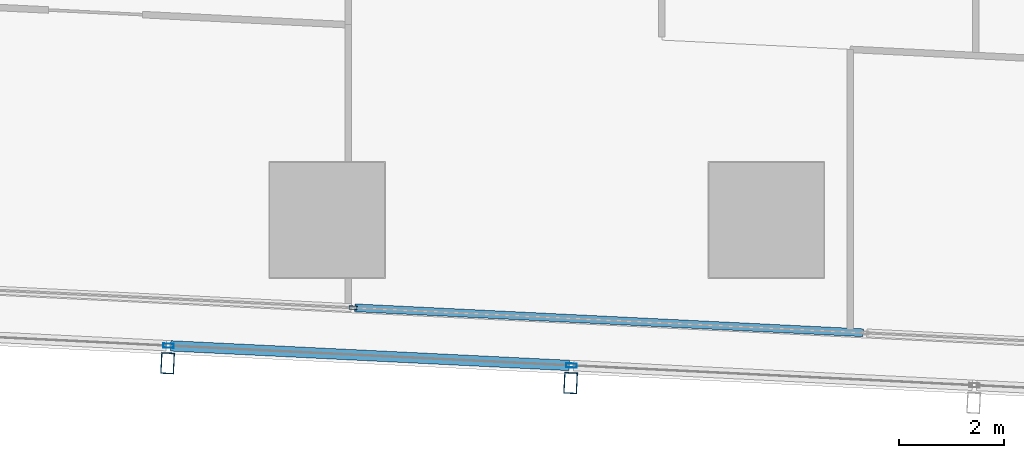
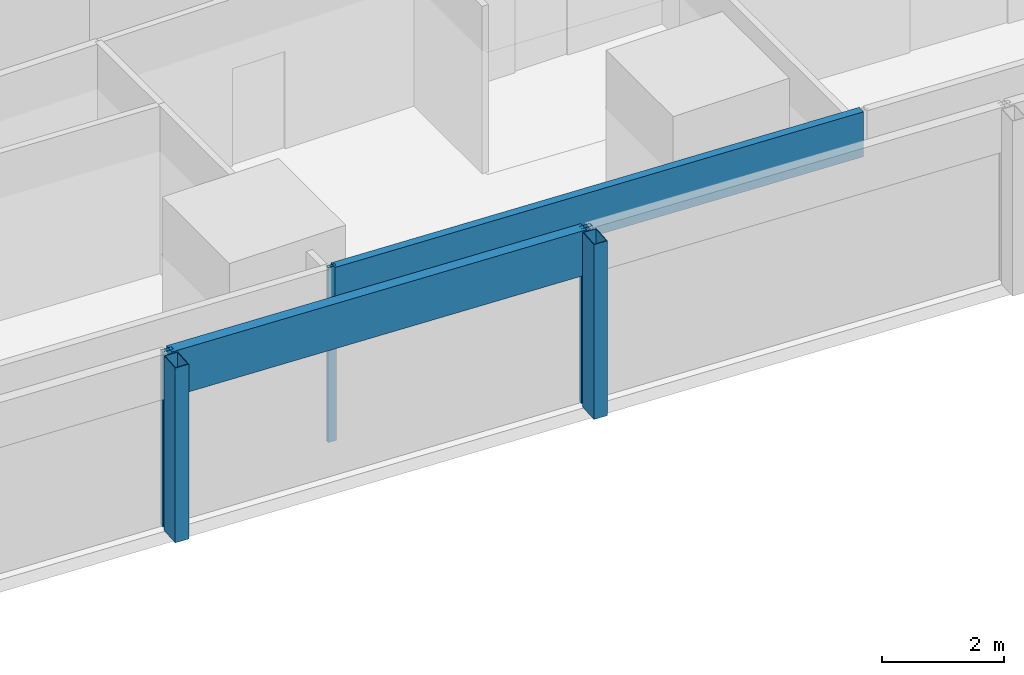
# One storey, part 5 of 42: 7 members, 2 elements without a shape of their own.
"""IFC4 building model written with IfcOpenShell, lengths in metres."""

from ifc_helpers import new_model, si_unit, direction, frame, origin, origin_2d, place, context, subcontext, project, spatial, hollow_rectangle, extrude, material, material_profile, profile_set, type_object, element, aggregate, save


model = new_model("IFC4")

# Units and contexts
model_context = context("Model", 3, precision=1e-05, world=origin(), true_north=direction((0.0, 1.0)))
body_context = subcontext(model_context, "Body", "Model", "MODEL_VIEW")
ifc_project = project(units=[si_unit("LENGTHUNIT", "METRE"), si_unit("AREAUNIT", "SQUARE_METRE"), si_unit("VOLUMEUNIT", "CUBIC_METRE"), si_unit("PLANEANGLEUNIT", "RADIAN"), si_unit("MASSUNIT", "GRAM", prefix="KILO")], contexts=[model_context])

# Site, building, storey
site_placement = place(None, origin())
site = spatial("IfcSite", under=ifc_project, at=site_placement, CompositionType="ELEMENT")
building_placement = place(site_placement, origin())
building = spatial("IfcBuilding", under=site, at=building_placement, Name="Rekha Terrace Tower", CompositionType="ELEMENT")
storey_placement = place(building_placement, frame((0.0, 0.0, 70.39990234375)))
storey = spatial("IfcBuildingStorey", under=building, at=storey_placement, Name="L17", CompositionType="ELEMENT", Elevation=70.39990234375)

# Curtain wall, members
ifc_material_1 = material(Name="Aluminium framing", Category="aluminium")
curtain_wall_type_1 = type_object("IfcCurtainWallType", Name="CW2 double skin outer glazing", PredefinedType="USERDEFINED", material=ifc_material_1)
curtain_wall_1_placement = place(storey_placement, origin())
curtain_wall_1 = element("IfcCurtainWall", 1, at=curtain_wall_1_placement, inside=storey, type_object=curtain_wall_type_1, Name="CW2 double skin outer glazing", ObjectType="DOUBLE SKIN OUTER GLAZING", PredefinedType="USERDEFINED")
ifc_material_2 = material(Name="Steel S355 with fluorocarbon finish", Category="steel")
ifc_material_profile_1 = material_profile(ifc_material_2, hollow_rectangle(XDim=0.25, YDim=0.39990234375, WallThickness=0.012451171875, at=origin_2d()), Name="RHS400x250x12.5")
ifc_profile_set_1 = profile_set([ifc_material_profile_1], Name="Steel S355 with fluorocarbon finish")
member_type_1 = type_object("IfcMemberType", Name="BL1 facade blade RHS 400 x 250", PredefinedType="USERDEFINED", material=ifc_profile_set_1)
member_1_placement = place(storey_placement, frame((22.14990234375, 5.6611328125, 0.0), z_axis=(0.0, 0.0, 1.0), x_axis=(0.998796226835, -0.049051985279, 0.0)))
member_1 = element("IfcMember", 2, at=member_1_placement, type_object=member_type_1, Name="Facade blade", ObjectType="FACADE BLADE", PredefinedType="USERDEFINED", context=body_context, shape_type="SweptSolid", body=[
    extrude(hollow_rectangle(XDim=0.25, YDim=0.39990234375, WallThickness=0.012451171875, at=origin_2d()), origin(), (0.0, 0.0, 1.0), 3.5),
])
member_2_placement = place(storey_placement, frame((29.856201171875, 5.28271484375, 0.0), z_axis=(0.0, 0.0, 1.0), x_axis=(0.998796226835, -0.049051985279, 0.0)))
member_2 = element("IfcMember", 3, at=member_2_placement, type_object=member_type_1, Name="Facade blade", ObjectType="FACADE BLADE", PredefinedType="USERDEFINED", context=body_context, shape_type="SweptSolid", body=[
    extrude(hollow_rectangle(XDim=0.25, YDim=0.39990234375, WallThickness=0.012451171875, at=origin_2d()), origin(), (0.0, 0.0, 1.0), 3.5),
])

curtain_wall_type_2 = type_object("IfcCurtainWallType", Name="CW1 double skin inner glazing", PredefinedType="USERDEFINED", material=ifc_material_1)
curtain_wall_2_placement = place(storey_placement, origin())
curtain_wall_2 = element("IfcCurtainWall", 4, at=curtain_wall_2_placement, inside=storey, type_object=curtain_wall_type_2, Name="CW1 double skin inner glazing", ObjectType="DOUBLE SKIN INNER GLAZING", PredefinedType="USERDEFINED")
ifc_material_3 = material(Name="Aluminium mullion section", Category="aluminium")
ifc_material_profile_2 = material_profile(ifc_material_3, hollow_rectangle(XDim=0.06494140625, YDim=0.14990234375, WallThickness=0.00390625, at=origin_2d()), Name="AL RHS 65x150")
ifc_profile_set_2 = profile_set([ifc_material_profile_2], Name="Aluminium mullion section")
member_type_2 = type_object("IfcMemberType", Name="CW1 mullion RHS 65 x 150", PredefinedType="MULLION", material=ifc_profile_set_2)
member_3_placement = place(storey_placement, frame((25.696044921875, 6.723388671875, 0.0), z_axis=(0.0, 0.0, 1.0), x_axis=(0.049051717746, 0.998796239974, 0.0)))
member_3 = element("IfcMember", 5, at=member_3_placement, type_object=member_type_2, Name="CW1 mullion 2", PredefinedType="MULLION", context=body_context, shape_type="SweptSolid", body=[
    extrude(hollow_rectangle(XDim=0.06494140625, YDim=0.14990234375, WallThickness=0.00390625, at=origin_2d()), origin(), (0.0, 0.0, 1.0), 3.5),
])
ifc_material_4 = material(Name="Insulated aluminium spandrel box", Category="aluminium")
ifc_material_profile_3 = material_profile(ifc_material_4, hollow_rectangle(XDim=0.14990234375, YDim=0.89990234375, WallThickness=0.0029296875, at=origin_2d()), Name="AL SPANDREL BOX 150x900")
ifc_profile_set_3 = profile_set([ifc_material_profile_3], Name="Insulated aluminium spandrel box")
member_type_3 = type_object("IfcMemberType", Name="CW1 spandrel transom 150 x 900", PredefinedType="USERDEFINED", material=ifc_profile_set_3)
member_4_placement = place(storey_placement, frame((25.728515625, 6.721923828125, 3.050048828125), z_axis=(0.998796042167, -0.049055745348, 0.0), x_axis=(0.049055745348, 0.998796042167, 0.0)))
member_4 = element("IfcMember", 6, at=member_4_placement, type_object=member_type_3, Name="CW1 spandrel transom 2", ObjectType="TRANSOM", PredefinedType="USERDEFINED", context=body_context, shape_type="SweptSolid", body=[
    extrude(hollow_rectangle(XDim=0.14990234375, YDim=0.89990234375, WallThickness=0.0029296875, at=origin_2d()), origin(), (0.0, 0.0, 1.0), 9.734619140625),
])
aggregate(curtain_wall_2, [member_3, member_4])

# Member
ifc_material_profile_4 = material_profile(ifc_material_3, hollow_rectangle(XDim=0.080078125, YDim=0.199951171875, WallThickness=0.00390625, at=origin_2d()), Name="AL RHS 80x200")
ifc_profile_set_4 = profile_set([ifc_material_profile_4], Name="Aluminium mullion section")
member_type_4 = type_object("IfcMemberType", Name="CW2 mullion RHS 80 x 200", PredefinedType="MULLION", material=ifc_profile_set_4)
member_5_placement = place(storey_placement, frame((22.166259765625, 5.99560546875, 0.0), z_axis=(0.0, 0.0, 1.0), x_axis=(0.049051717746, 0.998796239974, 0.0)))
member_5 = element("IfcMember", 7, at=member_5_placement, type_object=member_type_4, Name="CW2 mullion 3", PredefinedType="MULLION", context=body_context, shape_type="SweptSolid", body=[
    extrude(hollow_rectangle(XDim=0.080078125, YDim=0.199951171875, WallThickness=0.00390625, at=origin_2d()), origin(), (0.0, 0.0, 1.0), 3.5),
])

member_6_placement = place(storey_placement, frame((29.872802734375, 5.6171875, 0.0), z_axis=(0.0, 0.0, 1.0), x_axis=(0.049051717746, 0.998796239974, 0.0)))
member_6 = element("IfcMember", 8, at=member_6_placement, type_object=member_type_4, Name="CW2 mullion 4", PredefinedType="MULLION", context=body_context, shape_type="SweptSolid", body=[
    extrude(hollow_rectangle(XDim=0.080078125, YDim=0.199951171875, WallThickness=0.00390625, at=origin_2d()), origin(), (0.0, 0.0, 1.0), 3.5),
])

ifc_material_profile_5 = material_profile(ifc_material_4, hollow_rectangle(XDim=0.199951171875, YDim=0.89990234375, WallThickness=0.0029296875, at=origin_2d()), Name="AL SPANDREL BOX 200x900")
ifc_profile_set_5 = profile_set([ifc_material_profile_5], Name="Insulated aluminium spandrel box")
member_type_5 = type_object("IfcMemberType", Name="CW2 spandrel transom 200 x 900", PredefinedType="USERDEFINED", material=ifc_profile_set_5)
member_7_placement = place(storey_placement, frame((22.206298828125, 5.99365234375, 3.050048828125), z_axis=(0.998796434643, -0.049047753721, 0.0), x_axis=(0.049047753721, 0.998796434643, 0.0)))
member_7 = element("IfcMember", 9, at=member_7_placement, type_object=member_type_5, Name="CW2 spandrel transom 3", ObjectType="TRANSOM", PredefinedType="USERDEFINED", context=body_context, shape_type="SweptSolid", body=[
    extrude(hollow_rectangle(XDim=0.199951171875, YDim=0.89990234375, WallThickness=0.0029296875, at=origin_2d()), origin(), (0.0, 0.0, 1.0), 7.6357421875),
])

aggregate(curtain_wall_1, [member_5, member_6, member_7, member_1, member_2])

save(model, "model.ifc")
